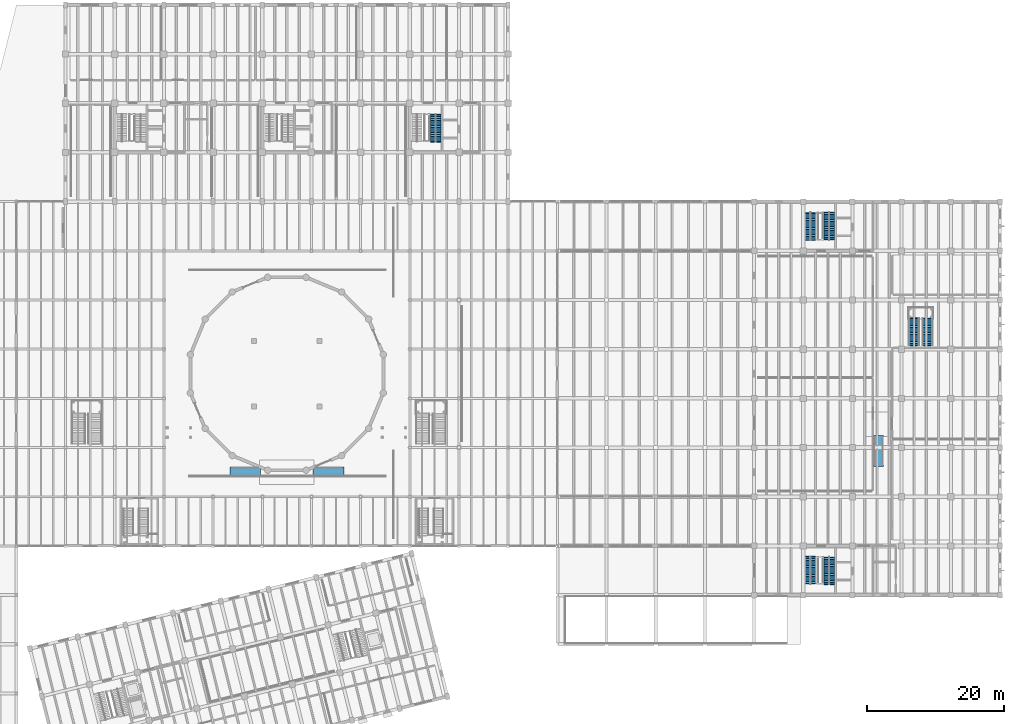
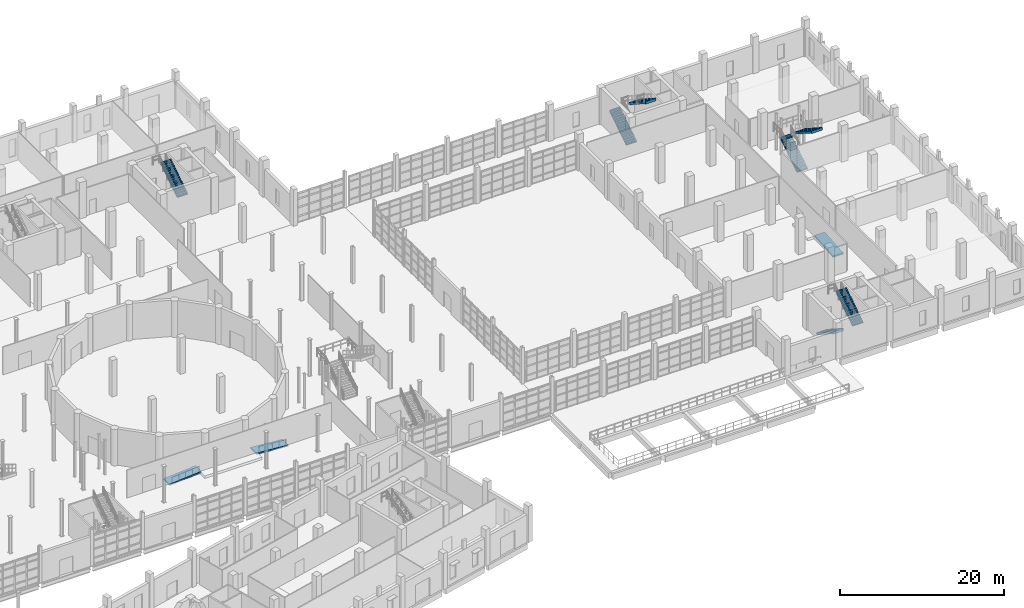
# One storey, part 74 of 79: 7 stair flights, 3 ramp flights, 7 elements without a shape of their own.
"""IFC4 building model written with IfcOpenShell, lengths in metres."""

from ifc_helpers import new_model, si_unit, direction, frame, origin, place, context, subcontext, project, spatial, polyline, outline, extrude, material, layer, layer_set, type_object, element, aggregate, save


model = new_model("IFC4")

# Units and contexts
model_context = context("Model", 3, precision=1e-05, world=origin(), true_north=direction((0.0, 1.0)))
body_context = subcontext(model_context, "Body", "Model", "MODEL_VIEW")
ifc_project = project(units=[si_unit("LENGTHUNIT", "METRE"), si_unit("AREAUNIT", "SQUARE_METRE"), si_unit("VOLUMEUNIT", "CUBIC_METRE"), si_unit("PLANEANGLEUNIT", "RADIAN"), si_unit("MASSUNIT", "GRAM", prefix="KILO")], contexts=[model_context])

# Site, building, storey
site_placement = place(None, origin())
site = spatial("IfcSite", under=ifc_project, at=site_placement, CompositionType="ELEMENT")
building_placement = place(site_placement, origin())
building = spatial("IfcBuilding", under=site, at=building_placement, Name="Qiaolan Assembly House", CompositionType="ELEMENT")
storey_placement = place(building_placement, origin())
storey = spatial("IfcBuildingStorey", under=building, at=storey_placement, Name="L00", CompositionType="ELEMENT", Elevation=0.0)

# Stair, stair flights
ifc_material = material(Name="Concrete C40/50", Category="concrete")
stair_type_1 = type_object("IfcStairType", Name="STR-LIB-READ-540", PredefinedType="HALF_TURN_STAIR", material=ifc_material)
stair_1_placement = place(storey_placement, origin())
stair_1 = element("IfcStair", 1, at=stair_1_placement, inside=storey, type_object=stair_type_1, Name="ST-11 Library Reading Well Stair ST-LB1", PredefinedType="HALF_TURN_STAIR")
stair_flight_type_1 = type_object("IfcStairFlightType", Name="STR-LIB-READ-540-FLT", PredefinedType="STRAIGHT", material=ifc_material)
stair_flight_1_placement = place(storey_placement, frame((160.199951171875, 65.39990234375, 0.0), z_axis=(0.0, 0.0, 1.0), x_axis=(0.0, 1.0, 0.0)))
stair_flight_1 = element("IfcStairFlight", 2, at=stair_flight_1_placement, type_object=stair_flight_type_1, Name="ST-11F stair flight FLT-ST-LB1-1", NumberOfRisers=16, NumberOfTreads=15, PredefinedType="STRAIGHT", RiserHeight=0.16875, TreadLength=0.26, context=body_context, shape_type="SweptSolid", body=[
    extrude(outline(polyline([(-0.10009765625, -0.1201171875), (-0.10009765625, 0.0), (0.0, 0.0), (0.0, 0.168701171875), (0.260009765625, 0.168701171875), (0.260009765625, 0.33740234375), (0.52001953125, 0.33740234375), (0.52001953125, 0.50634765625), (0.780029296875, 0.50634765625), (0.780029296875, 0.675048828125), (1.0400390625, 0.675048828125), (1.0400390625, 0.84375), (1.300048828125, 0.84375), (1.300048828125, 1.012451171875), (1.56005859375, 1.012451171875), (1.56005859375, 1.18115234375), (1.820068359375, 1.18115234375), (1.820068359375, 1.35009765625), (2.080078125, 1.35009765625), (2.080078125, 1.518798828125), (2.340087890625, 1.518798828125), (2.340087890625, 1.6875), (2.60009765625, 1.6875), (2.60009765625, 1.856201171875), (2.860107421875, 1.856201171875), (2.860107421875, 2.02490234375), (3.1201171875, 2.02490234375), (3.1201171875, 2.19384765625), (3.3798828125, 2.19384765625), (3.3798828125, 2.362548828125), (3.639892578125, 2.362548828125), (3.639892578125, 2.53125), (3.89990234375, 2.53125), (3.89990234375, 2.699951171875), (4.02001953125, 2.699951171875), (4.02001953125, 2.29296875), (3.89990234375, 2.29296875), (0.18212890625, -0.1201171875), (-0.10009765625, -0.1201171875)])), frame((0.0, 0.75, 0.0), z_axis=(0.0, -1.0, 0.0), x_axis=(1.0, 0.0, 0.0)), (0.0, 0.0, 1.0), 1.5),
])
stair_flight_2_placement = place(storey_placement, frame((162.199951171875, 69.300048828125, 2.699951171875), z_axis=(0.0, 0.0, 1.0), x_axis=(0.0, -1.0, 0.0)))
stair_flight_2 = element("IfcStairFlight", 3, at=stair_flight_2_placement, type_object=stair_flight_type_1, Name="ST-11F stair flight FLT-ST-LB1-2", NumberOfRisers=16, NumberOfTreads=15, PredefinedType="STRAIGHT", RiserHeight=0.16875, TreadLength=0.26, context=body_context, shape_type="SweptSolid", body=[
    extrude(outline(polyline([(-0.10009765625, -0.1201171875), (-0.10009765625, 0.0), (0.0, 0.0), (0.0, 0.168701171875), (0.260009765625, 0.168701171875), (0.260009765625, 0.33740234375), (0.52001953125, 0.33740234375), (0.52001953125, 0.50634765625), (0.780029296875, 0.50634765625), (0.780029296875, 0.675048828125), (1.0400390625, 0.675048828125), (1.0400390625, 0.84375), (1.300048828125, 0.84375), (1.300048828125, 1.012451171875), (1.56005859375, 1.012451171875), (1.56005859375, 1.18115234375), (1.820068359375, 1.18115234375), (1.820068359375, 1.35009765625), (2.080078125, 1.35009765625), (2.080078125, 1.518798828125), (2.340087890625, 1.518798828125), (2.340087890625, 1.6875), (2.60009765625, 1.6875), (2.60009765625, 1.856201171875), (2.860107421875, 1.856201171875), (2.860107421875, 2.02490234375), (3.1201171875, 2.02490234375), (3.1201171875, 2.19384765625), (3.3798828125, 2.19384765625), (3.3798828125, 2.362548828125), (3.639892578125, 2.362548828125), (3.639892578125, 2.53125), (3.89990234375, 2.53125), (3.89990234375, 2.699951171875), (4.02001953125, 2.699951171875), (4.02001953125, 2.29296875), (3.89990234375, 2.29296875), (0.18212890625, -0.1201171875), (-0.10009765625, -0.1201171875)])), frame((0.0, 0.75, 0.0), z_axis=(0.0, -1.0, 0.0), x_axis=(1.0, 0.0, 0.0)), (0.0, 0.0, 1.0), 1.5),
])
aggregate(stair_1, [stair_flight_1, stair_flight_2])

# Stair, stair flight
stair_type_2 = type_object("IfcStairType", Name="STR-PODIUM-540", PredefinedType="THREE_QUARTER_TURN_STAIR", material=ifc_material)
stair_2_placement = place(storey_placement, origin())
stair_2 = element("IfcStair", 4, at=stair_2_placement, inside=storey, type_object=stair_type_2, Name="ST-01 enclosed egress stair CORE-G L00", PredefinedType="THREE_QUARTER_TURN_STAIR")
stair_flight_type_2 = type_object("IfcStairFlightType", Name="STR-PODIUM-540-FLT", PredefinedType="STRAIGHT", material=ifc_material)
stair_flight_3_placement = place(storey_placement, frame((90.199951171875, 95.18994140625, 2.699951171875), z_axis=(0.0, 0.0, 1.0), x_axis=(0.0, 1.0, 0.0)))
stair_flight_3 = element("IfcStairFlight", 5, at=stair_flight_3_placement, type_object=stair_flight_type_2, Name="ST-01F stair flight FLT-CORE-G-L00-2", NumberOfRisers=16, NumberOfTreads=15, PredefinedType="STRAIGHT", RiserHeight=0.16875, TreadLength=0.26, context=body_context, shape_type="SweptSolid", body=[
    extrude(outline(polyline([(-0.10009765625, -0.1201171875), (-0.10009765625, 0.0), (0.0, 0.0), (0.0, 0.168701171875), (0.260009765625, 0.168701171875), (0.260009765625, 0.33740234375), (0.52001953125, 0.33740234375), (0.52001953125, 0.50634765625), (0.780029296875, 0.50634765625), (0.780029296875, 0.675048828125), (1.0400390625, 0.675048828125), (1.0400390625, 0.84375), (1.300048828125, 0.84375), (1.300048828125, 1.012451171875), (1.56005859375, 1.012451171875), (1.56005859375, 1.18115234375), (1.820068359375, 1.18115234375), (1.820068359375, 1.35009765625), (2.080078125, 1.35009765625), (2.080078125, 1.518798828125), (2.340087890625, 1.518798828125), (2.340087890625, 1.6875), (2.60009765625, 1.6875), (2.60009765625, 1.856201171875), (2.860107421875, 1.856201171875), (2.860107421875, 2.02490234375), (3.1201171875, 2.02490234375), (3.1201171875, 2.19384765625), (3.3798828125, 2.19384765625), (3.3798828125, 2.362548828125), (3.639892578125, 2.362548828125), (3.639892578125, 2.53125), (3.89990234375, 2.53125), (3.89990234375, 2.699951171875), (4.02001953125, 2.699951171875), (4.02001953125, 2.29296875), (3.89990234375, 2.29296875), (0.18212890625, -0.1201171875), (-0.10009765625, -0.1201171875)])), frame((0.0, 0.739990234375, 0.0), z_axis=(0.0, -1.0, 0.0), x_axis=(1.0, 0.0, 0.0)), (0.0, 0.0, 1.0), 1.47998046875),
])
aggregate(stair_2, [stair_flight_3])

# Stair, stair flights
stair_3_placement = place(storey_placement, origin())
stair_3 = element("IfcStair", 6, at=stair_3_placement, inside=storey, type_object=stair_type_2, Name="ST-01 enclosed egress stair CORE-E L00", PredefinedType="THREE_QUARTER_TURN_STAIR")
stair_flight_4_placement = place(storey_placement, frame((145.050048828125, 34.409912109375, 0.0), z_axis=(0.0, 0.0, 1.0), x_axis=(0.0, -1.0, 0.0)))
stair_flight_4 = element("IfcStairFlight", 7, at=stair_flight_4_placement, type_object=stair_flight_type_2, Name="ST-01F stair flight FLT-CORE-E-L00-1", NumberOfRisers=16, NumberOfTreads=15, PredefinedType="STRAIGHT", RiserHeight=0.16875, TreadLength=0.26, context=body_context, shape_type="SweptSolid", body=[
    extrude(outline(polyline([(-0.10009765625, -0.1201171875), (-0.10009765625, 0.0), (0.0, 0.0), (0.0, 0.168701171875), (0.260009765625, 0.168701171875), (0.260009765625, 0.33740234375), (0.52001953125, 0.33740234375), (0.52001953125, 0.50634765625), (0.780029296875, 0.50634765625), (0.780029296875, 0.675048828125), (1.0400390625, 0.675048828125), (1.0400390625, 0.84375), (1.300048828125, 0.84375), (1.300048828125, 1.012451171875), (1.56005859375, 1.012451171875), (1.56005859375, 1.18115234375), (1.820068359375, 1.18115234375), (1.820068359375, 1.35009765625), (2.080078125, 1.35009765625), (2.080078125, 1.518798828125), (2.340087890625, 1.518798828125), (2.340087890625, 1.6875), (2.60009765625, 1.6875), (2.60009765625, 1.856201171875), (2.860107421875, 1.856201171875), (2.860107421875, 2.02490234375), (3.1201171875, 2.02490234375), (3.1201171875, 2.19384765625), (3.3798828125, 2.19384765625), (3.3798828125, 2.362548828125), (3.639892578125, 2.362548828125), (3.639892578125, 2.53125), (3.89990234375, 2.53125), (3.89990234375, 2.699951171875), (4.02001953125, 2.699951171875), (4.02001953125, 2.29296875), (3.89990234375, 2.29296875), (0.18212890625, -0.1201171875), (-0.10009765625, -0.1201171875)])), frame((0.0, 0.739990234375, 0.0), z_axis=(0.0, -1.0, 0.0), x_axis=(1.0, 0.0, 0.0)), (0.0, 0.0, 1.0), 1.47998046875),
])
stair_flight_5_placement = place(storey_placement, frame((147.800048828125, 30.389892578125, 2.699951171875), z_axis=(0.0, 0.0, 1.0), x_axis=(0.0, 1.0, 0.0)))
stair_flight_5 = element("IfcStairFlight", 8, at=stair_flight_5_placement, type_object=stair_flight_type_2, Name="ST-01F stair flight FLT-CORE-E-L00-2", NumberOfRisers=16, NumberOfTreads=15, PredefinedType="STRAIGHT", RiserHeight=0.16875, TreadLength=0.26, context=body_context, shape_type="SweptSolid", body=[
    extrude(outline(polyline([(-0.10009765625, -0.1201171875), (-0.10009765625, 0.0), (0.0, 0.0), (0.0, 0.168701171875), (0.260009765625, 0.168701171875), (0.260009765625, 0.33740234375), (0.52001953125, 0.33740234375), (0.52001953125, 0.50634765625), (0.780029296875, 0.50634765625), (0.780029296875, 0.675048828125), (1.0400390625, 0.675048828125), (1.0400390625, 0.84375), (1.300048828125, 0.84375), (1.300048828125, 1.012451171875), (1.56005859375, 1.012451171875), (1.56005859375, 1.18115234375), (1.820068359375, 1.18115234375), (1.820068359375, 1.35009765625), (2.080078125, 1.35009765625), (2.080078125, 1.518798828125), (2.340087890625, 1.518798828125), (2.340087890625, 1.6875), (2.60009765625, 1.6875), (2.60009765625, 1.856201171875), (2.860107421875, 1.856201171875), (2.860107421875, 2.02490234375), (3.1201171875, 2.02490234375), (3.1201171875, 2.19384765625), (3.3798828125, 2.19384765625), (3.3798828125, 2.362548828125), (3.639892578125, 2.362548828125), (3.639892578125, 2.53125), (3.89990234375, 2.53125), (3.89990234375, 2.699951171875), (4.02001953125, 2.699951171875), (4.02001953125, 2.29296875), (3.89990234375, 2.29296875), (0.18212890625, -0.1201171875), (-0.10009765625, -0.1201171875)])), frame((0.0, 0.739990234375, 0.0), z_axis=(0.0, -1.0, 0.0), x_axis=(1.0, 0.0, 0.0)), (0.0, 0.0, 1.0), 1.47998046875),
])
aggregate(stair_3, [stair_flight_4, stair_flight_5])

stair_4_placement = place(storey_placement, origin())
stair_4 = element("IfcStair", 9, at=stair_4_placement, inside=storey, type_object=stair_type_2, Name="ST-01 enclosed egress stair CORE-F L00", PredefinedType="THREE_QUARTER_TURN_STAIR")
stair_flight_6_placement = place(storey_placement, frame((145.050048828125, 80.7900390625, 0.0), z_axis=(0.0, 0.0, 1.0), x_axis=(0.0, 1.0, 0.0)))
stair_flight_6 = element("IfcStairFlight", 10, at=stair_flight_6_placement, type_object=stair_flight_type_2, Name="ST-01F stair flight FLT-CORE-F-L00-1", NumberOfRisers=16, NumberOfTreads=15, PredefinedType="STRAIGHT", RiserHeight=0.16875, TreadLength=0.26, context=body_context, shape_type="SweptSolid", body=[
    extrude(outline(polyline([(-0.10009765625, -0.1201171875), (-0.10009765625, 0.0), (0.0, 0.0), (0.0, 0.168701171875), (0.260009765625, 0.168701171875), (0.260009765625, 0.33740234375), (0.52001953125, 0.33740234375), (0.52001953125, 0.50634765625), (0.780029296875, 0.50634765625), (0.780029296875, 0.675048828125), (1.0400390625, 0.675048828125), (1.0400390625, 0.84375), (1.300048828125, 0.84375), (1.300048828125, 1.012451171875), (1.56005859375, 1.012451171875), (1.56005859375, 1.18115234375), (1.820068359375, 1.18115234375), (1.820068359375, 1.35009765625), (2.080078125, 1.35009765625), (2.080078125, 1.518798828125), (2.340087890625, 1.518798828125), (2.340087890625, 1.6875), (2.60009765625, 1.6875), (2.60009765625, 1.856201171875), (2.860107421875, 1.856201171875), (2.860107421875, 2.02490234375), (3.1201171875, 2.02490234375), (3.1201171875, 2.19384765625), (3.3798828125, 2.19384765625), (3.3798828125, 2.362548828125), (3.639892578125, 2.362548828125), (3.639892578125, 2.53125), (3.89990234375, 2.53125), (3.89990234375, 2.699951171875), (4.02001953125, 2.699951171875), (4.02001953125, 2.29296875), (3.89990234375, 2.29296875), (0.18212890625, -0.1201171875), (-0.10009765625, -0.1201171875)])), frame((0.0, 0.739990234375, 0.0), z_axis=(0.0, -1.0, 0.0), x_axis=(1.0, 0.0, 0.0)), (0.0, 0.0, 1.0), 1.47998046875),
])
stair_flight_7_placement = place(storey_placement, frame((147.800048828125, 84.81005859375, 2.699951171875), z_axis=(0.0, 0.0, 1.0), x_axis=(0.0, -1.0, 0.0)))
stair_flight_7 = element("IfcStairFlight", 11, at=stair_flight_7_placement, type_object=stair_flight_type_2, Name="ST-01F stair flight FLT-CORE-F-L00-2", NumberOfRisers=16, NumberOfTreads=15, PredefinedType="STRAIGHT", RiserHeight=0.16875, TreadLength=0.26, context=body_context, shape_type="SweptSolid", body=[
    extrude(outline(polyline([(-0.10009765625, -0.1201171875), (-0.10009765625, 0.0), (0.0, 0.0), (0.0, 0.168701171875), (0.260009765625, 0.168701171875), (0.260009765625, 0.33740234375), (0.52001953125, 0.33740234375), (0.52001953125, 0.50634765625), (0.780029296875, 0.50634765625), (0.780029296875, 0.675048828125), (1.0400390625, 0.675048828125), (1.0400390625, 0.84375), (1.300048828125, 0.84375), (1.300048828125, 1.012451171875), (1.56005859375, 1.012451171875), (1.56005859375, 1.18115234375), (1.820068359375, 1.18115234375), (1.820068359375, 1.35009765625), (2.080078125, 1.35009765625), (2.080078125, 1.518798828125), (2.340087890625, 1.518798828125), (2.340087890625, 1.6875), (2.60009765625, 1.6875), (2.60009765625, 1.856201171875), (2.860107421875, 1.856201171875), (2.860107421875, 2.02490234375), (3.1201171875, 2.02490234375), (3.1201171875, 2.19384765625), (3.3798828125, 2.19384765625), (3.3798828125, 2.362548828125), (3.639892578125, 2.362548828125), (3.639892578125, 2.53125), (3.89990234375, 2.53125), (3.89990234375, 2.699951171875), (4.02001953125, 2.699951171875), (4.02001953125, 2.29296875), (3.89990234375, 2.29296875), (0.18212890625, -0.1201171875), (-0.10009765625, -0.1201171875)])), frame((0.0, 0.739990234375, 0.0), z_axis=(0.0, -1.0, 0.0), x_axis=(1.0, 0.0, 0.0)), (0.0, 0.0, 1.0), 1.47998046875),
])
aggregate(stair_4, [stair_flight_6, stair_flight_7])

# Ramp, ramp flight
ramp_type = type_object("IfcRampType", Name="RMP-ACCESS-1450", PredefinedType="STRAIGHT_RUN_RAMP", material=ifc_material)
ramp_1_placement = place(storey_placement, origin())
ramp_1 = element("IfcRamp", 12, at=ramp_1_placement, inside=storey, type_object=ramp_type, Name="RM-01 Public Hall West Protocol Dais Accessible Ramp (1:12)", PredefinedType="STRAIGHT_RUN_RAMP")
ifc_layer = layer(ifc_material, 0.219970703125)
ifc_layer_set = layer_set([ifc_layer], Name="Concrete C40/50")
ramp_flight_type = type_object("IfcRampFlightType", Name="RMP-ACCESS-1450-FLT", PredefinedType="STRAIGHT", material=ifc_layer_set)
ramp_flight_1_placement = place(storey_placement, frame((60.050048828125, 46.800048828125, 0.0), z_axis=(0.0, 0.0, 1.0), x_axis=(1.0, 0.0, 0.0)))
ramp_flight_1 = element("IfcRampFlight", 13, at=ramp_flight_1_placement, type_object=ramp_flight_type, Name="RM-01F ramp flight RMP-ACC-P1-1", PredefinedType="STRAIGHT", context=body_context, shape_type="SweptSolid", body=[
    extrude(outline(polyline([(0.0, -0.219970703125), (0.0, 0.0), (4.5, 0.360107421875), (4.5, 0.14013671875), (0.0, -0.219970703125)])), frame((0.0, 0.72509765625, 0.0), z_axis=(0.0, -1.0, 0.0), x_axis=(1.0, 0.0, 0.0)), (0.0, 0.0, 1.0), 1.449951171875),
])
aggregate(ramp_1, [ramp_flight_1])

ramp_2_placement = place(storey_placement, origin())
ramp_2 = element("IfcRamp", 14, at=ramp_2_placement, inside=storey, type_object=ramp_type, Name="RM-01 Public Hall East Protocol Dais Accessible Ramp (1:12)", PredefinedType="STRAIGHT_RUN_RAMP")
ramp_flight_2_placement = place(storey_placement, frame((76.75, 46.800048828125, 0.0), z_axis=(0.0, 0.0, 1.0), x_axis=(-1.0, 0.0, 0.0)))
ramp_flight_2 = element("IfcRampFlight", 15, at=ramp_flight_2_placement, type_object=ramp_flight_type, Name="RM-01F ramp flight RMP-ACC-P2-1", PredefinedType="STRAIGHT", context=body_context, shape_type="SweptSolid", body=[
    extrude(outline(polyline([(0.0, -0.219970703125), (0.0, 0.0), (4.5, 0.360107421875), (4.5, 0.14013671875), (0.0, -0.219970703125)])), frame((0.0, 0.72509765625, 0.0), z_axis=(0.0, -1.0, 0.0), x_axis=(1.0, 0.0, 0.0)), (0.0, 0.0, 1.0), 1.449951171875),
])
aggregate(ramp_2, [ramp_flight_2])

ramp_3_placement = place(storey_placement, origin())
ramp_3 = element("IfcRamp", 16, at=ramp_3_placement, inside=storey, type_object=ramp_type, Name="RM-01 Library Reading Platform Accessible Ramp (1:12)", PredefinedType="STRAIGHT_RUN_RAMP")
ramp_flight_3_placement = place(storey_placement, frame((155.0, 47.64990234375, 0.0), z_axis=(0.0, 0.0, 1.0), x_axis=(0.0, 1.0, 0.0)))
ramp_flight_3 = element("IfcRampFlight", 17, at=ramp_flight_3_placement, type_object=ramp_flight_type, Name="RM-01F ramp flight RMP-ACC-L1-1", PredefinedType="STRAIGHT", context=body_context, shape_type="SweptSolid", body=[
    extrude(outline(polyline([(0.0, -0.219970703125), (0.0, 0.0), (4.5, 0.360107421875), (4.5, 0.14013671875), (0.0, -0.219970703125)])), frame((0.0, 0.72509765625, 0.0), z_axis=(0.0, -1.0, 0.0), x_axis=(1.0, 0.0, 0.0)), (0.0, 0.0, 1.0), 1.449951171875),
])
aggregate(ramp_3, [ramp_flight_3])

save(model, "model.ifc")
